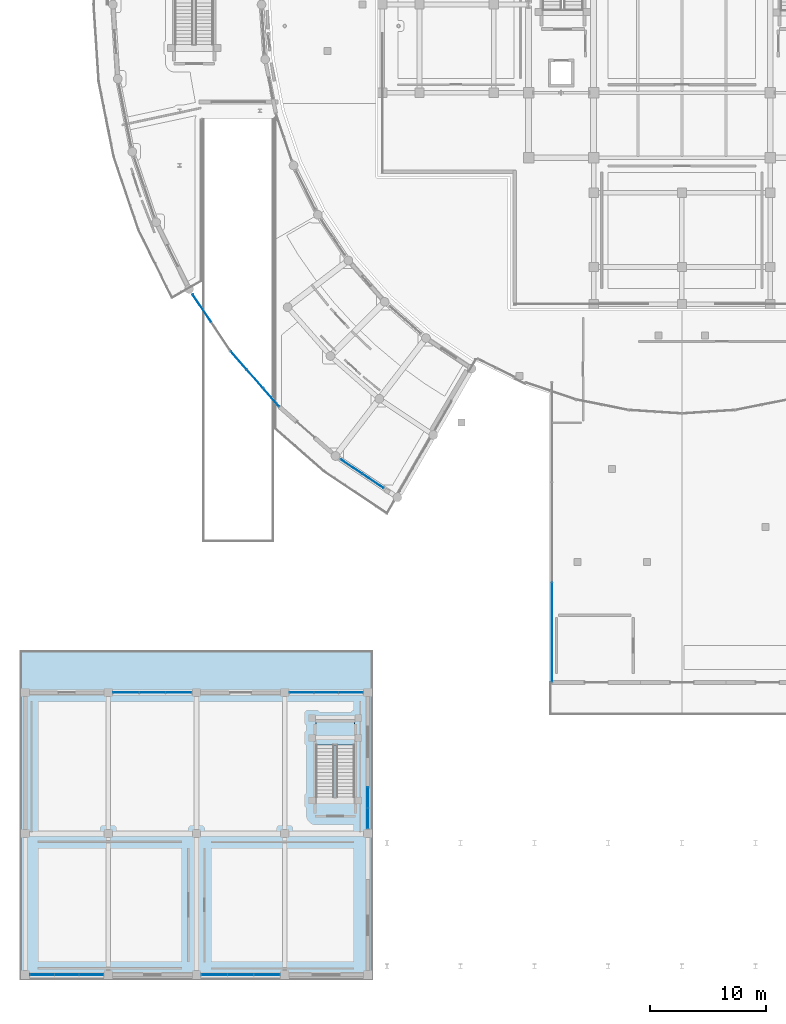
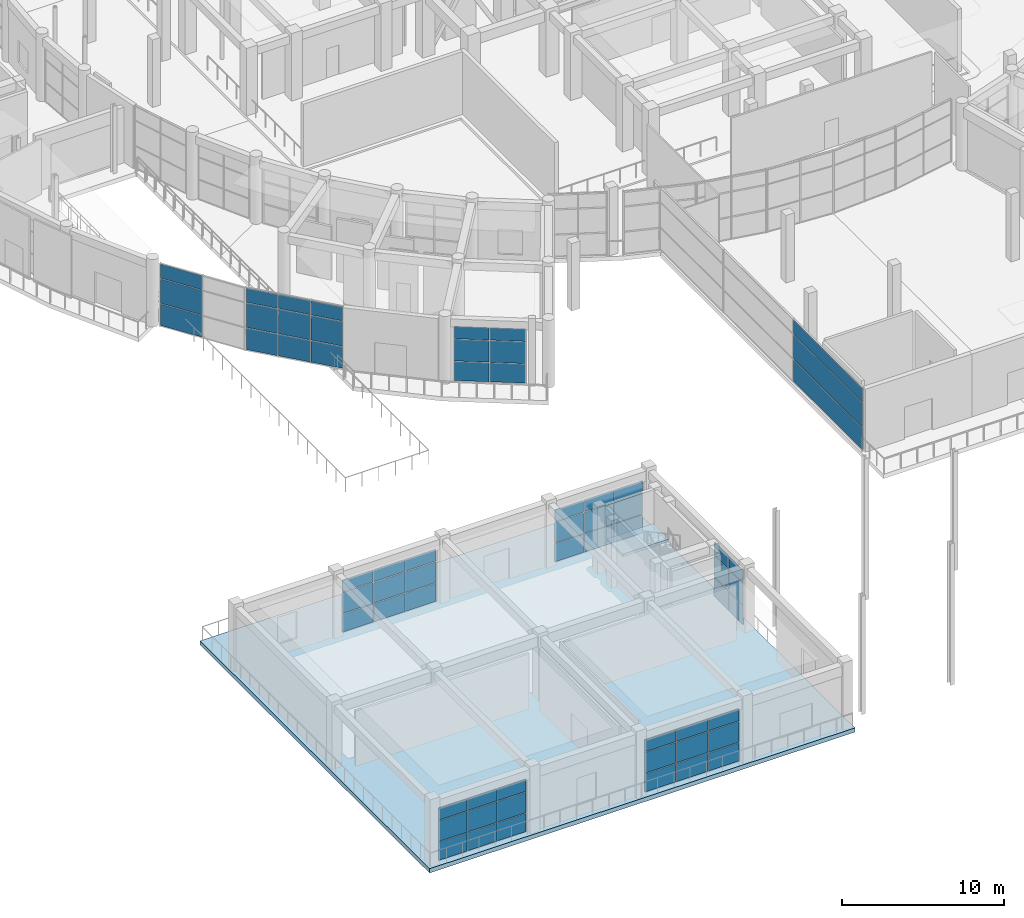
# One storey, part 54 of 99: 63 plates, 2 slabs, 10 elements without a shape of their own.
"""IFC4 building model written with IfcOpenShell, lengths in metres."""

from ifc_helpers import new_model, si_unit, direction, frame, origin, origin_2d, place, context, subcontext, project, spatial, polyline, rectangle, outline, extrude, material, layer, layer_set, type_object, element, aggregate, save


model = new_model("IFC4")

# Units and contexts
model_context = context("Model", 3, precision=1e-05, world=origin(), true_north=direction((0.0, 1.0)))
body_context = subcontext(model_context, "Body", "Model", "MODEL_VIEW")
ifc_project = project(units=[si_unit("LENGTHUNIT", "METRE"), si_unit("AREAUNIT", "SQUARE_METRE"), si_unit("VOLUMEUNIT", "CUBIC_METRE"), si_unit("PLANEANGLEUNIT", "RADIAN"), si_unit("MASSUNIT", "GRAM", prefix="KILO")], contexts=[model_context])

# Site, building, storey
site_placement = place(None, origin())
site = spatial("IfcSite", under=ifc_project, at=site_placement, CompositionType="ELEMENT")
building_placement = place(site_placement, origin())
building = spatial("IfcBuilding", under=site, at=building_placement, Name="Saryqyr Civic Hall", CompositionType="ELEMENT")
storey_placement = place(building_placement, origin())
storey = spatial("IfcBuildingStorey", under=building, at=storey_placement, Name="L00", CompositionType="ELEMENT", Elevation=0.0)

# Curtain wall, plates
ifc_material_1 = material(Name="Anodised aluminium and triple low-E glass", Category="aluminium")
curtain_wall_type_1 = type_object("IfcCurtainWallType", Name="ENV-CW-STD-08", PredefinedType="NOTDEFINED", material=ifc_material_1)
curtain_wall_1_placement = place(storey_placement, origin())
curtain_wall_1 = element("IfcCurtainWall", 1, at=curtain_wall_1_placement, inside=storey, type_object=curtain_wall_type_1, Name="Curtain wall V4-CWO-L00-06", PredefinedType="NOTDEFINED")
ifc_material_2 = material(Name="Triple low-E insulated glazing", Category="glass")
ifc_layer_1 = layer(ifc_material_2, 0.053955078125, Name="Triple low-E insulated glazing")
ifc_layer_set_1 = layer_set([ifc_layer_1], Name="Triple low-E insulated glazing")
plate_type = type_object("IfcPlateType", Name="ENV-CW-PNL-38", PredefinedType="CURTAIN_PANEL", material=ifc_layer_set_1)
plate_1_placement = place(storey_placement, frame((15.67138671875, 57.843994140625, 0.06005859375), z_axis=(0.0, 0.0, 1.0), x_axis=(-0.555566691085, 0.831471978937, 0.0)))
plate_1 = element("IfcPlate", 2, at=plate_1_placement, type_object=plate_type, Name="CW-08 panel 2.1", PredefinedType="CURTAIN_PANEL", context=body_context, shape_type="SweptSolid", body=[
    extrude(rectangle(XDim=2.865234375, YDim=0.053955078125, at=origin_2d()), origin(), (0.0, 0.0, 1.0), 1.6201171875),
])
plate_2_placement = place(storey_placement, frame((15.67138671875, 57.843994140625, 1.73974609375), z_axis=(0.0, 0.0, 1.0), x_axis=(-0.555566691085, 0.831471978937, 0.0)))
plate_2 = element("IfcPlate", 3, at=plate_2_placement, type_object=plate_type, Name="CW-08 panel 2.2", PredefinedType="CURTAIN_PANEL", context=body_context, shape_type="SweptSolid", body=[
    extrude(rectangle(XDim=2.865234375, YDim=0.053955078125, at=origin_2d()), origin(), (0.0, 0.0, 1.0), 1.840087890625),
])
plate_3_placement = place(storey_placement, frame((15.67138671875, 57.843994140625, 3.64013671875), z_axis=(0.0, 0.0, 1.0), x_axis=(-0.555566691085, 0.831471978937, 0.0)))
plate_3 = element("IfcPlate", 4, at=plate_3_placement, type_object=plate_type, Name="CW-08 panel 2.3", PredefinedType="CURTAIN_PANEL", context=body_context, shape_type="SweptSolid", body=[
    extrude(rectangle(XDim=2.865234375, YDim=0.053955078125, at=origin_2d()), origin(), (0.0, 0.0, 1.0), 1.050048828125),
])
aggregate(curtain_wall_1, [plate_1, plate_2, plate_3])

curtain_wall_type_2 = type_object("IfcCurtainWallType", Name="ENV-CW-STD-10", PredefinedType="NOTDEFINED", material=ifc_material_1)
curtain_wall_2_placement = place(storey_placement, origin())
curtain_wall_2 = element("IfcCurtainWall", 5, at=curtain_wall_2_placement, inside=storey, type_object=curtain_wall_type_2, Name="Curtain wall V4-CWO-L00-07", PredefinedType="NOTDEFINED")
plate_4_placement = place(storey_placement, frame((21.637451171875, 50.166259765625, 0.06005859375), z_axis=(0.0, 0.0, 1.0), x_axis=(-0.659349177167, 0.751836859012, 0.0)))
plate_4 = element("IfcPlate", 6, at=plate_4_placement, type_object=plate_type, Name="CW-10 panel 1.1", PredefinedType="CURTAIN_PANEL", context=body_context, shape_type="SweptSolid", body=[
    extrude(rectangle(XDim=2.04638671875, YDim=0.053955078125, at=origin_2d()), origin(), (0.0, 0.0, 1.0), 1.6201171875),
])
plate_5_placement = place(storey_placement, frame((21.637451171875, 50.166259765625, 1.73974609375), z_axis=(0.0, 0.0, 1.0), x_axis=(-0.659349177167, 0.751836859012, 0.0)))
plate_5 = element("IfcPlate", 7, at=plate_5_placement, type_object=plate_type, Name="CW-10 panel 1.2", PredefinedType="CURTAIN_PANEL", context=body_context, shape_type="SweptSolid", body=[
    extrude(rectangle(XDim=2.04638671875, YDim=0.053955078125, at=origin_2d()), origin(), (0.0, 0.0, 1.0), 1.840087890625),
])
plate_6_placement = place(storey_placement, frame((21.637451171875, 50.166259765625, 3.64013671875), z_axis=(0.0, 0.0, 1.0), x_axis=(-0.659349177167, 0.751836859012, 0.0)))
plate_6 = element("IfcPlate", 8, at=plate_6_placement, type_object=plate_type, Name="CW-10 panel 1.3", PredefinedType="CURTAIN_PANEL", context=body_context, shape_type="SweptSolid", body=[
    extrude(rectangle(XDim=2.04638671875, YDim=0.053955078125, at=origin_2d()), origin(), (0.0, 0.0, 1.0), 1.050048828125),
])
plate_7_placement = place(storey_placement, frame((20.23876953125, 51.76123046875, 0.06005859375), z_axis=(0.0, 0.0, 1.0), x_axis=(-0.659349177167, 0.751836859012, 0.0)))
plate_7 = element("IfcPlate", 9, at=plate_7_placement, type_object=plate_type, Name="CW-10 panel 2.1", PredefinedType="CURTAIN_PANEL", context=body_context, shape_type="SweptSolid", body=[
    extrude(rectangle(XDim=2.076416015625, YDim=0.053955078125, at=origin_2d()), origin(), (0.0, 0.0, 1.0), 1.6201171875),
])
plate_8_placement = place(storey_placement, frame((20.23876953125, 51.76123046875, 1.73974609375), z_axis=(0.0, 0.0, 1.0), x_axis=(-0.659349177167, 0.751836859012, 0.0)))
plate_8 = element("IfcPlate", 10, at=plate_8_placement, type_object=plate_type, Name="CW-10 panel 2.2", PredefinedType="CURTAIN_PANEL", context=body_context, shape_type="SweptSolid", body=[
    extrude(rectangle(XDim=2.076416015625, YDim=0.053955078125, at=origin_2d()), origin(), (0.0, 0.0, 1.0), 1.840087890625),
])
plate_9_placement = place(storey_placement, frame((20.23876953125, 51.76123046875, 3.64013671875), z_axis=(0.0, 0.0, 1.0), x_axis=(-0.659349177167, 0.751836859012, 0.0)))
plate_9 = element("IfcPlate", 11, at=plate_9_placement, type_object=plate_type, Name="CW-10 panel 2.3", PredefinedType="CURTAIN_PANEL", context=body_context, shape_type="SweptSolid", body=[
    extrude(rectangle(XDim=2.076416015625, YDim=0.053955078125, at=origin_2d()), origin(), (0.0, 0.0, 1.0), 1.050048828125),
])
plate_10_placement = place(storey_placement, frame((18.83984375, 53.356201171875, 0.06005859375), z_axis=(0.0, 0.0, 1.0), x_axis=(-0.659349177167, 0.751836859012, 0.0)))
plate_10 = element("IfcPlate", 12, at=plate_10_placement, type_object=plate_type, Name="CW-10 panel 3.1", PredefinedType="CURTAIN_PANEL", context=body_context, shape_type="SweptSolid", body=[
    extrude(rectangle(XDim=2.04638671875, YDim=0.053955078125, at=origin_2d()), origin(), (0.0, 0.0, 1.0), 1.6201171875),
])
plate_11_placement = place(storey_placement, frame((18.83984375, 53.356201171875, 1.73974609375), z_axis=(0.0, 0.0, 1.0), x_axis=(-0.659349177167, 0.751836859012, 0.0)))
plate_11 = element("IfcPlate", 13, at=plate_11_placement, type_object=plate_type, Name="CW-10 panel 3.2", PredefinedType="CURTAIN_PANEL", context=body_context, shape_type="SweptSolid", body=[
    extrude(rectangle(XDim=2.04638671875, YDim=0.053955078125, at=origin_2d()), origin(), (0.0, 0.0, 1.0), 1.840087890625),
])
plate_12_placement = place(storey_placement, frame((18.83984375, 53.356201171875, 3.64013671875), z_axis=(0.0, 0.0, 1.0), x_axis=(-0.659349177167, 0.751836859012, 0.0)))
plate_12 = element("IfcPlate", 14, at=plate_12_placement, type_object=plate_type, Name="CW-10 panel 3.3", PredefinedType="CURTAIN_PANEL", context=body_context, shape_type="SweptSolid", body=[
    extrude(rectangle(XDim=2.04638671875, YDim=0.053955078125, at=origin_2d()), origin(), (0.0, 0.0, 1.0), 1.050048828125),
])
aggregate(curtain_wall_2, [plate_4, plate_5, plate_6, plate_7, plate_8, plate_9, plate_10, plate_11, plate_12])

curtain_wall_type_3 = type_object("IfcCurtainWallType", Name="ENV-CW-STD-12", PredefinedType="NOTDEFINED", material=ifc_material_1)
curtain_wall_3_placement = place(storey_placement, origin())
curtain_wall_3 = element("IfcCurtainWall", 15, at=curtain_wall_3_placement, inside=storey, type_object=curtain_wall_type_3, Name="Curtain wall V4-CWO-L00-09", PredefinedType="NOTDEFINED")
plate_13_placement = place(storey_placement, frame((30.397705078125, 42.969482421875, 0.06005859375), z_axis=(0.0, 0.0, 1.0), x_axis=(-0.831475808139, 0.555560960182, 0.0)))
plate_13 = element("IfcPlate", 16, at=plate_13_placement, type_object=plate_type, Name="CW-12 panel 1.1", PredefinedType="CURTAIN_PANEL", context=body_context, shape_type="SweptSolid", body=[
    extrude(rectangle(XDim=2.174560546875, YDim=0.053955078125, at=origin_2d()), origin(), (0.0, 0.0, 1.0), 1.419921875),
])
plate_14_placement = place(storey_placement, frame((30.397705078125, 42.969482421875, 1.5400390625), z_axis=(0.0, 0.0, 1.0), x_axis=(-0.831475808139, 0.555560960182, 0.0)))
plate_14 = element("IfcPlate", 17, at=plate_14_placement, type_object=plate_type, Name="CW-12 panel 1.2", PredefinedType="CURTAIN_PANEL", context=body_context, shape_type="SweptSolid", body=[
    extrude(rectangle(XDim=2.174560546875, YDim=0.053955078125, at=origin_2d()), origin(), (0.0, 0.0, 1.0), 1.617919921875),
])
plate_15_placement = place(storey_placement, frame((30.397705078125, 42.969482421875, 3.218017578125), z_axis=(0.0, 0.0, 1.0), x_axis=(-0.831475808139, 0.555560960182, 0.0)))
plate_15 = element("IfcPlate", 18, at=plate_15_placement, type_object=plate_type, Name="CW-12 panel 1.3", PredefinedType="CURTAIN_PANEL", context=body_context, shape_type="SweptSolid", body=[
    extrude(rectangle(XDim=2.174560546875, YDim=0.053955078125, at=origin_2d()), origin(), (0.0, 0.0, 1.0), 0.9169921875),
])
plate_16_placement = place(storey_placement, frame((28.53955078125, 44.2109375, 0.06005859375), z_axis=(0.0, 0.0, 1.0), x_axis=(-0.831475808139, 0.555560960182, 0.0)))
plate_16 = element("IfcPlate", 19, at=plate_16_placement, type_object=plate_type, Name="CW-12 panel 2.1", PredefinedType="CURTAIN_PANEL", context=body_context, shape_type="SweptSolid", body=[
    extrude(rectangle(XDim=2.174560546875, YDim=0.053955078125, at=origin_2d()), origin(), (0.0, 0.0, 1.0), 1.419921875),
])
plate_17_placement = place(storey_placement, frame((28.53955078125, 44.2109375, 1.5400390625), z_axis=(0.0, 0.0, 1.0), x_axis=(-0.831475808139, 0.555560960182, 0.0)))
plate_17 = element("IfcPlate", 20, at=plate_17_placement, type_object=plate_type, Name="CW-12 panel 2.2", PredefinedType="CURTAIN_PANEL", context=body_context, shape_type="SweptSolid", body=[
    extrude(rectangle(XDim=2.174560546875, YDim=0.053955078125, at=origin_2d()), origin(), (0.0, 0.0, 1.0), 1.617919921875),
])
plate_18_placement = place(storey_placement, frame((28.53955078125, 44.2109375, 3.218017578125), z_axis=(0.0, 0.0, 1.0), x_axis=(-0.831475808139, 0.555560960182, 0.0)))
plate_18 = element("IfcPlate", 21, at=plate_18_placement, type_object=plate_type, Name="CW-12 panel 2.3", PredefinedType="CURTAIN_PANEL", context=body_context, shape_type="SweptSolid", body=[
    extrude(rectangle(XDim=2.174560546875, YDim=0.053955078125, at=origin_2d()), origin(), (0.0, 0.0, 1.0), 0.9169921875),
])
aggregate(curtain_wall_3, [plate_13, plate_14, plate_15, plate_16, plate_17, plate_18])

curtain_wall_type_4 = type_object("IfcCurtainWallType", Name="ENV-CW-STD-59", PredefinedType="NOTDEFINED", material=ifc_material_1)
curtain_wall_4_placement = place(storey_placement, origin())
curtain_wall_4 = element("IfcCurtainWall", 22, at=curtain_wall_4_placement, inside=storey, type_object=curtain_wall_type_4, Name="Curtain wall V7W-CW-L00-0-1", PredefinedType="NOTDEFINED")
plate_19_placement = place(storey_placement, frame((21.25830078125, 0.449951171875, 0.06005859375), z_axis=(0.0, 0.0, 1.0), x_axis=(-1.0, 0.0, 0.0)))
plate_19 = element("IfcPlate", 23, at=plate_19_placement, type_object=plate_type, Name="CW-59 panel 1.1", PredefinedType="CURTAIN_PANEL", context=body_context, shape_type="SweptSolid", body=[
    extrude(rectangle(XDim=2.183349609375, YDim=0.053955078125, at=origin_2d()), origin(), (0.0, 0.0, 1.0), 1.365966796875),
])
plate_20_placement = place(storey_placement, frame((21.25830078125, 0.449951171875, 1.48583984375), z_axis=(0.0, 0.0, 1.0), x_axis=(-1.0, 0.0, 0.0)))
plate_20 = element("IfcPlate", 24, at=plate_20_placement, type_object=plate_type, Name="CW-59 panel 1.2", PredefinedType="CURTAIN_PANEL", context=body_context, shape_type="SweptSolid", body=[
    extrude(rectangle(XDim=2.183349609375, YDim=0.053955078125, at=origin_2d()), origin(), (0.0, 0.0, 1.0), 1.55810546875),
])
plate_21_placement = place(storey_placement, frame((21.25830078125, 0.449951171875, 3.10400390625), z_axis=(0.0, 0.0, 1.0), x_axis=(-1.0, 0.0, 0.0)))
plate_21 = element("IfcPlate", 25, at=plate_21_placement, type_object=plate_type, Name="CW-59 panel 1.3", PredefinedType="CURTAIN_PANEL", context=body_context, shape_type="SweptSolid", body=[
    extrude(rectangle(XDim=2.183349609375, YDim=0.053955078125, at=origin_2d()), origin(), (0.0, 0.0, 1.0), 0.881103515625),
])
plate_22_placement = place(storey_placement, frame((19.0, 0.449951171875, 0.06005859375), z_axis=(0.0, 0.0, 1.0), x_axis=(-1.0, 0.0, 0.0)))
plate_22 = element("IfcPlate", 26, at=plate_22_placement, type_object=plate_type, Name="CW-59 panel 2.1", PredefinedType="CURTAIN_PANEL", context=body_context, shape_type="SweptSolid", body=[
    extrude(rectangle(XDim=2.21337890625, YDim=0.053955078125, at=origin_2d()), origin(), (0.0, 0.0, 1.0), 1.365966796875),
])
plate_23_placement = place(storey_placement, frame((19.0, 0.449951171875, 1.48583984375), z_axis=(0.0, 0.0, 1.0), x_axis=(-1.0, 0.0, 0.0)))
plate_23 = element("IfcPlate", 27, at=plate_23_placement, type_object=plate_type, Name="CW-59 panel 2.2", PredefinedType="CURTAIN_PANEL", context=body_context, shape_type="SweptSolid", body=[
    extrude(rectangle(XDim=2.21337890625, YDim=0.053955078125, at=origin_2d()), origin(), (0.0, 0.0, 1.0), 1.55810546875),
])
plate_24_placement = place(storey_placement, frame((19.0, 0.449951171875, 3.10400390625), z_axis=(0.0, 0.0, 1.0), x_axis=(-1.0, 0.0, 0.0)))
plate_24 = element("IfcPlate", 28, at=plate_24_placement, type_object=plate_type, Name="CW-59 panel 2.3", PredefinedType="CURTAIN_PANEL", context=body_context, shape_type="SweptSolid", body=[
    extrude(rectangle(XDim=2.21337890625, YDim=0.053955078125, at=origin_2d()), origin(), (0.0, 0.0, 1.0), 0.881103515625),
])
plate_25_placement = place(storey_placement, frame((16.74169921875, 0.449951171875, 0.06005859375), z_axis=(0.0, 0.0, 1.0), x_axis=(-1.0, 0.0, 0.0)))
plate_25 = element("IfcPlate", 29, at=plate_25_placement, type_object=plate_type, Name="CW-59 panel 3.1", PredefinedType="CURTAIN_PANEL", context=body_context, shape_type="SweptSolid", body=[
    extrude(rectangle(XDim=2.183349609375, YDim=0.053955078125, at=origin_2d()), origin(), (0.0, 0.0, 1.0), 1.365966796875),
])
plate_26_placement = place(storey_placement, frame((16.74169921875, 0.449951171875, 1.48583984375), z_axis=(0.0, 0.0, 1.0), x_axis=(-1.0, 0.0, 0.0)))
plate_26 = element("IfcPlate", 30, at=plate_26_placement, type_object=plate_type, Name="CW-59 panel 3.2", PredefinedType="CURTAIN_PANEL", context=body_context, shape_type="SweptSolid", body=[
    extrude(rectangle(XDim=2.183349609375, YDim=0.053955078125, at=origin_2d()), origin(), (0.0, 0.0, 1.0), 1.55810546875),
])
plate_27_placement = place(storey_placement, frame((16.74169921875, 0.449951171875, 3.10400390625), z_axis=(0.0, 0.0, 1.0), x_axis=(-1.0, 0.0, 0.0)))
plate_27 = element("IfcPlate", 31, at=plate_27_placement, type_object=plate_type, Name="CW-59 panel 3.3", PredefinedType="CURTAIN_PANEL", context=body_context, shape_type="SweptSolid", body=[
    extrude(rectangle(XDim=2.183349609375, YDim=0.053955078125, at=origin_2d()), origin(), (0.0, 0.0, 1.0), 0.881103515625),
])
aggregate(curtain_wall_4, [plate_19, plate_20, plate_21, plate_22, plate_23, plate_24, plate_25, plate_26, plate_27])

curtain_wall_type_5 = type_object("IfcCurtainWallType", Name="ENV-CW-STD-60", PredefinedType="NOTDEFINED", material=ifc_material_1)
curtain_wall_5_placement = place(storey_placement, origin())
curtain_wall_5 = element("IfcCurtainWall", 32, at=curtain_wall_5_placement, inside=storey, type_object=curtain_wall_type_5, Name="Curtain wall V7W-CW-L00-0-3", PredefinedType="NOTDEFINED")
plate_28_placement = place(storey_placement, frame((6.13330078125, 0.449951171875, 0.06005859375), z_axis=(0.0, 0.0, 1.0), x_axis=(-1.0, 0.0, 0.0)))
plate_28 = element("IfcPlate", 33, at=plate_28_placement, type_object=plate_type, Name="CW-60 panel 1.1", PredefinedType="CURTAIN_PANEL", context=body_context, shape_type="SweptSolid", body=[
    extrude(rectangle(XDim=2.033447265625, YDim=0.053955078125, at=origin_2d()), origin(), (0.0, 0.0, 1.0), 1.365966796875),
])
plate_29_placement = place(storey_placement, frame((6.13330078125, 0.449951171875, 1.48583984375), z_axis=(0.0, 0.0, 1.0), x_axis=(-1.0, 0.0, 0.0)))
plate_29 = element("IfcPlate", 34, at=plate_29_placement, type_object=plate_type, Name="CW-60 panel 1.2", PredefinedType="CURTAIN_PANEL", context=body_context, shape_type="SweptSolid", body=[
    extrude(rectangle(XDim=2.033447265625, YDim=0.053955078125, at=origin_2d()), origin(), (0.0, 0.0, 1.0), 1.55810546875),
])
plate_30_placement = place(storey_placement, frame((6.13330078125, 0.449951171875, 3.10400390625), z_axis=(0.0, 0.0, 1.0), x_axis=(-1.0, 0.0, 0.0)))
plate_30 = element("IfcPlate", 35, at=plate_30_placement, type_object=plate_type, Name="CW-60 panel 1.3", PredefinedType="CURTAIN_PANEL", context=body_context, shape_type="SweptSolid", body=[
    extrude(rectangle(XDim=2.033447265625, YDim=0.053955078125, at=origin_2d()), origin(), (0.0, 0.0, 1.0), 0.881103515625),
])
plate_31_placement = place(storey_placement, frame((4.02490234375, 0.449951171875, 0.06005859375), z_axis=(0.0, 0.0, 1.0), x_axis=(-1.0, 0.0, 0.0)))
plate_31 = element("IfcPlate", 36, at=plate_31_placement, type_object=plate_type, Name="CW-60 panel 2.1", PredefinedType="CURTAIN_PANEL", context=body_context, shape_type="SweptSolid", body=[
    extrude(rectangle(XDim=2.063232421875, YDim=0.053955078125, at=origin_2d()), origin(), (0.0, 0.0, 1.0), 1.365966796875),
])
plate_32_placement = place(storey_placement, frame((4.02490234375, 0.449951171875, 1.48583984375), z_axis=(0.0, 0.0, 1.0), x_axis=(-1.0, 0.0, 0.0)))
plate_32 = element("IfcPlate", 37, at=plate_32_placement, type_object=plate_type, Name="CW-60 panel 2.2", PredefinedType="CURTAIN_PANEL", context=body_context, shape_type="SweptSolid", body=[
    extrude(rectangle(XDim=2.063232421875, YDim=0.053955078125, at=origin_2d()), origin(), (0.0, 0.0, 1.0), 1.55810546875),
])
plate_33_placement = place(storey_placement, frame((4.02490234375, 0.449951171875, 3.10400390625), z_axis=(0.0, 0.0, 1.0), x_axis=(-1.0, 0.0, 0.0)))
plate_33 = element("IfcPlate", 38, at=plate_33_placement, type_object=plate_type, Name="CW-60 panel 2.3", PredefinedType="CURTAIN_PANEL", context=body_context, shape_type="SweptSolid", body=[
    extrude(rectangle(XDim=2.063232421875, YDim=0.053955078125, at=origin_2d()), origin(), (0.0, 0.0, 1.0), 0.881103515625),
])
plate_34_placement = place(storey_placement, frame((1.916748046875, 0.449951171875, 0.06005859375), z_axis=(0.0, 0.0, 1.0), x_axis=(-1.0, 0.0, 0.0)))
plate_34 = element("IfcPlate", 39, at=plate_34_placement, type_object=plate_type, Name="CW-60 panel 3.1", PredefinedType="CURTAIN_PANEL", context=body_context, shape_type="SweptSolid", body=[
    extrude(rectangle(XDim=2.033447265625, YDim=0.053955078125, at=origin_2d()), origin(), (0.0, 0.0, 1.0), 1.365966796875),
])
plate_35_placement = place(storey_placement, frame((1.916748046875, 0.449951171875, 1.48583984375), z_axis=(0.0, 0.0, 1.0), x_axis=(-1.0, 0.0, 0.0)))
plate_35 = element("IfcPlate", 40, at=plate_35_placement, type_object=plate_type, Name="CW-60 panel 3.2", PredefinedType="CURTAIN_PANEL", context=body_context, shape_type="SweptSolid", body=[
    extrude(rectangle(XDim=2.033447265625, YDim=0.053955078125, at=origin_2d()), origin(), (0.0, 0.0, 1.0), 1.55810546875),
])
plate_36_placement = place(storey_placement, frame((1.916748046875, 0.449951171875, 3.10400390625), z_axis=(0.0, 0.0, 1.0), x_axis=(-1.0, 0.0, 0.0)))
plate_36 = element("IfcPlate", 41, at=plate_36_placement, type_object=plate_type, Name="CW-60 panel 3.3", PredefinedType="CURTAIN_PANEL", context=body_context, shape_type="SweptSolid", body=[
    extrude(rectangle(XDim=2.033447265625, YDim=0.053955078125, at=origin_2d()), origin(), (0.0, 0.0, 1.0), 0.881103515625),
])
aggregate(curtain_wall_5, [plate_28, plate_29, plate_30, plate_31, plate_32, plate_33, plate_34, plate_35, plate_36])

curtain_wall_type_6 = type_object("IfcCurtainWallType", Name="ENV-CW-STD-09", PredefinedType="NOTDEFINED", material=ifc_material_1)
curtain_wall_6_placement = place(storey_placement, origin())
curtain_wall_6 = element("IfcCurtainWall", 42, at=curtain_wall_6_placement, inside=storey, type_object=curtain_wall_type_6, Name="Curtain wall V7W-CW-L00-1-1", PredefinedType="NOTDEFINED")
plate_37_placement = place(storey_placement, frame((29.949951171875, 15.719970703125, 0.06005859375), z_axis=(0.0, 0.0, 1.0), x_axis=(0.0, -1.0, 0.0)))
plate_37 = element("IfcPlate", 43, at=plate_37_placement, type_object=plate_type, Name="CW-09 panel 1.1", PredefinedType="CURTAIN_PANEL", context=body_context, shape_type="SweptSolid", body=[
    extrude(rectangle(XDim=1.739990234375, YDim=0.053955078125, at=origin_2d()), origin(), (0.0, 0.0, 1.0), 1.419921875),
])
plate_38_placement = place(storey_placement, frame((29.949951171875, 15.719970703125, 1.5400390625), z_axis=(0.0, 0.0, 1.0), x_axis=(0.0, -1.0, 0.0)))
plate_38 = element("IfcPlate", 44, at=plate_38_placement, type_object=plate_type, Name="CW-09 panel 1.2", PredefinedType="CURTAIN_PANEL", context=body_context, shape_type="SweptSolid", body=[
    extrude(rectangle(XDim=1.739990234375, YDim=0.053955078125, at=origin_2d()), origin(), (0.0, 0.0, 1.0), 1.617919921875),
])
plate_39_placement = place(storey_placement, frame((29.949951171875, 15.719970703125, 3.218017578125), z_axis=(0.0, 0.0, 1.0), x_axis=(0.0, -1.0, 0.0)))
plate_39 = element("IfcPlate", 45, at=plate_39_placement, type_object=plate_type, Name="CW-09 panel 1.3", PredefinedType="CURTAIN_PANEL", context=body_context, shape_type="SweptSolid", body=[
    extrude(rectangle(XDim=1.739990234375, YDim=0.053955078125, at=origin_2d()), origin(), (0.0, 0.0, 1.0), 0.9169921875),
])
plate_40_placement = place(storey_placement, frame((29.949951171875, 13.919921875, 0.06005859375), z_axis=(0.0, 0.0, 1.0), x_axis=(0.0, -1.0, 0.0)))
plate_40 = element("IfcPlate", 46, at=plate_40_placement, type_object=plate_type, Name="CW-09 panel 2.1", PredefinedType="CURTAIN_PANEL", context=body_context, shape_type="SweptSolid", body=[
    extrude(rectangle(XDim=1.739990234375, YDim=0.053955078125, at=origin_2d()), origin(), (0.0, 0.0, 1.0), 1.419921875),
])
plate_41_placement = place(storey_placement, frame((29.949951171875, 13.919921875, 1.5400390625), z_axis=(0.0, 0.0, 1.0), x_axis=(0.0, -1.0, 0.0)))
plate_41 = element("IfcPlate", 47, at=plate_41_placement, type_object=plate_type, Name="CW-09 panel 2.2", PredefinedType="CURTAIN_PANEL", context=body_context, shape_type="SweptSolid", body=[
    extrude(rectangle(XDim=1.739990234375, YDim=0.053955078125, at=origin_2d()), origin(), (0.0, 0.0, 1.0), 1.617919921875),
])
plate_42_placement = place(storey_placement, frame((29.949951171875, 13.919921875, 3.218017578125), z_axis=(0.0, 0.0, 1.0), x_axis=(0.0, -1.0, 0.0)))
plate_42 = element("IfcPlate", 48, at=plate_42_placement, type_object=plate_type, Name="CW-09 panel 2.3", PredefinedType="CURTAIN_PANEL", context=body_context, shape_type="SweptSolid", body=[
    extrude(rectangle(XDim=1.739990234375, YDim=0.053955078125, at=origin_2d()), origin(), (0.0, 0.0, 1.0), 0.9169921875),
])
aggregate(curtain_wall_6, [plate_37, plate_38, plate_39, plate_40, plate_41, plate_42])

curtain_wall_7_placement = place(storey_placement, origin())
curtain_wall_7 = element("IfcCurtainWall", 49, at=curtain_wall_7_placement, inside=storey, type_object=curtain_wall_type_4, Name="Curtain wall V7W-CW-L00-2-1", PredefinedType="NOTDEFINED")
plate_43_placement = place(storey_placement, frame((9.1416015625, 24.75, 0.06005859375), z_axis=(0.0, 0.0, 1.0), x_axis=(1.0, 0.0, 0.0)))
plate_43 = element("IfcPlate", 50, at=plate_43_placement, type_object=plate_type, Name="CW-59 panel 1.1", PredefinedType="CURTAIN_PANEL", context=body_context, shape_type="SweptSolid", body=[
    extrude(rectangle(XDim=2.183349609375, YDim=0.053955078125, at=origin_2d()), origin(), (0.0, 0.0, 1.0), 1.365966796875),
])
plate_44_placement = place(storey_placement, frame((9.1416015625, 24.75, 1.48583984375), z_axis=(0.0, 0.0, 1.0), x_axis=(1.0, 0.0, 0.0)))
plate_44 = element("IfcPlate", 51, at=plate_44_placement, type_object=plate_type, Name="CW-59 panel 1.2", PredefinedType="CURTAIN_PANEL", context=body_context, shape_type="SweptSolid", body=[
    extrude(rectangle(XDim=2.183349609375, YDim=0.053955078125, at=origin_2d()), origin(), (0.0, 0.0, 1.0), 1.55810546875),
])
plate_45_placement = place(storey_placement, frame((9.1416015625, 24.75, 3.10400390625), z_axis=(0.0, 0.0, 1.0), x_axis=(1.0, 0.0, 0.0)))
plate_45 = element("IfcPlate", 52, at=plate_45_placement, type_object=plate_type, Name="CW-59 panel 1.3", PredefinedType="CURTAIN_PANEL", context=body_context, shape_type="SweptSolid", body=[
    extrude(rectangle(XDim=2.183349609375, YDim=0.053955078125, at=origin_2d()), origin(), (0.0, 0.0, 1.0), 0.881103515625),
])
plate_46_placement = place(storey_placement, frame((11.39990234375, 24.75, 0.06005859375), z_axis=(0.0, 0.0, 1.0), x_axis=(1.0, 0.0, 0.0)))
plate_46 = element("IfcPlate", 53, at=plate_46_placement, type_object=plate_type, Name="CW-59 panel 2.1", PredefinedType="CURTAIN_PANEL", context=body_context, shape_type="SweptSolid", body=[
    extrude(rectangle(XDim=2.21337890625, YDim=0.053955078125, at=origin_2d()), origin(), (0.0, 0.0, 1.0), 1.365966796875),
])
plate_47_placement = place(storey_placement, frame((11.39990234375, 24.75, 1.48583984375), z_axis=(0.0, 0.0, 1.0), x_axis=(1.0, 0.0, 0.0)))
plate_47 = element("IfcPlate", 54, at=plate_47_placement, type_object=plate_type, Name="CW-59 panel 2.2", PredefinedType="CURTAIN_PANEL", context=body_context, shape_type="SweptSolid", body=[
    extrude(rectangle(XDim=2.21337890625, YDim=0.053955078125, at=origin_2d()), origin(), (0.0, 0.0, 1.0), 1.55810546875),
])
plate_48_placement = place(storey_placement, frame((11.39990234375, 24.75, 3.10400390625), z_axis=(0.0, 0.0, 1.0), x_axis=(1.0, 0.0, 0.0)))
plate_48 = element("IfcPlate", 55, at=plate_48_placement, type_object=plate_type, Name="CW-59 panel 2.3", PredefinedType="CURTAIN_PANEL", context=body_context, shape_type="SweptSolid", body=[
    extrude(rectangle(XDim=2.21337890625, YDim=0.053955078125, at=origin_2d()), origin(), (0.0, 0.0, 1.0), 0.881103515625),
])
plate_49_placement = place(storey_placement, frame((13.658447265625, 24.75, 0.06005859375), z_axis=(0.0, 0.0, 1.0), x_axis=(1.0, 0.0, 0.0)))
plate_49 = element("IfcPlate", 56, at=plate_49_placement, type_object=plate_type, Name="CW-59 panel 3.1", PredefinedType="CURTAIN_PANEL", context=body_context, shape_type="SweptSolid", body=[
    extrude(rectangle(XDim=2.183349609375, YDim=0.053955078125, at=origin_2d()), origin(), (0.0, 0.0, 1.0), 1.365966796875),
])
plate_50_placement = place(storey_placement, frame((13.658447265625, 24.75, 1.48583984375), z_axis=(0.0, 0.0, 1.0), x_axis=(1.0, 0.0, 0.0)))
plate_50 = element("IfcPlate", 57, at=plate_50_placement, type_object=plate_type, Name="CW-59 panel 3.2", PredefinedType="CURTAIN_PANEL", context=body_context, shape_type="SweptSolid", body=[
    extrude(rectangle(XDim=2.183349609375, YDim=0.053955078125, at=origin_2d()), origin(), (0.0, 0.0, 1.0), 1.55810546875),
])
plate_51_placement = place(storey_placement, frame((13.658447265625, 24.75, 3.10400390625), z_axis=(0.0, 0.0, 1.0), x_axis=(1.0, 0.0, 0.0)))
plate_51 = element("IfcPlate", 58, at=plate_51_placement, type_object=plate_type, Name="CW-59 panel 3.3", PredefinedType="CURTAIN_PANEL", context=body_context, shape_type="SweptSolid", body=[
    extrude(rectangle(XDim=2.183349609375, YDim=0.053955078125, at=origin_2d()), origin(), (0.0, 0.0, 1.0), 0.881103515625),
])
aggregate(curtain_wall_7, [plate_43, plate_44, plate_45, plate_46, plate_47, plate_48, plate_49, plate_50, plate_51])

curtain_wall_8_placement = place(storey_placement, origin())
curtain_wall_8 = element("IfcCurtainWall", 59, at=curtain_wall_8_placement, inside=storey, type_object=curtain_wall_type_5, Name="Curtain wall V7W-CW-L00-2-3", PredefinedType="NOTDEFINED")
plate_52_placement = place(storey_placement, frame((24.2666015625, 24.75, 0.06005859375), z_axis=(0.0, 0.0, 1.0), x_axis=(1.0, 0.0, 0.0)))
plate_52 = element("IfcPlate", 60, at=plate_52_placement, type_object=plate_type, Name="CW-60 panel 1.1", PredefinedType="CURTAIN_PANEL", context=body_context, shape_type="SweptSolid", body=[
    extrude(rectangle(XDim=2.033447265625, YDim=0.053955078125, at=origin_2d()), origin(), (0.0, 0.0, 1.0), 1.365966796875),
])
plate_53_placement = place(storey_placement, frame((24.2666015625, 24.75, 1.48583984375), z_axis=(0.0, 0.0, 1.0), x_axis=(1.0, 0.0, 0.0)))
plate_53 = element("IfcPlate", 61, at=plate_53_placement, type_object=plate_type, Name="CW-60 panel 1.2", PredefinedType="CURTAIN_PANEL", context=body_context, shape_type="SweptSolid", body=[
    extrude(rectangle(XDim=2.033447265625, YDim=0.053955078125, at=origin_2d()), origin(), (0.0, 0.0, 1.0), 1.55810546875),
])
plate_54_placement = place(storey_placement, frame((24.2666015625, 24.75, 3.10400390625), z_axis=(0.0, 0.0, 1.0), x_axis=(1.0, 0.0, 0.0)))
plate_54 = element("IfcPlate", 62, at=plate_54_placement, type_object=plate_type, Name="CW-60 panel 1.3", PredefinedType="CURTAIN_PANEL", context=body_context, shape_type="SweptSolid", body=[
    extrude(rectangle(XDim=2.033447265625, YDim=0.053955078125, at=origin_2d()), origin(), (0.0, 0.0, 1.0), 0.881103515625),
])
plate_55_placement = place(storey_placement, frame((26.375, 24.75, 0.06005859375), z_axis=(0.0, 0.0, 1.0), x_axis=(1.0, 0.0, 0.0)))
plate_55 = element("IfcPlate", 63, at=plate_55_placement, type_object=plate_type, Name="CW-60 panel 2.1", PredefinedType="CURTAIN_PANEL", context=body_context, shape_type="SweptSolid", body=[
    extrude(rectangle(XDim=2.063232421875, YDim=0.053955078125, at=origin_2d()), origin(), (0.0, 0.0, 1.0), 1.365966796875),
])
plate_56_placement = place(storey_placement, frame((26.375, 24.75, 1.48583984375), z_axis=(0.0, 0.0, 1.0), x_axis=(1.0, 0.0, 0.0)))
plate_56 = element("IfcPlate", 64, at=plate_56_placement, type_object=plate_type, Name="CW-60 panel 2.2", PredefinedType="CURTAIN_PANEL", context=body_context, shape_type="SweptSolid", body=[
    extrude(rectangle(XDim=2.063232421875, YDim=0.053955078125, at=origin_2d()), origin(), (0.0, 0.0, 1.0), 1.55810546875),
])
plate_57_placement = place(storey_placement, frame((26.375, 24.75, 3.10400390625), z_axis=(0.0, 0.0, 1.0), x_axis=(1.0, 0.0, 0.0)))
plate_57 = element("IfcPlate", 65, at=plate_57_placement, type_object=plate_type, Name="CW-60 panel 2.3", PredefinedType="CURTAIN_PANEL", context=body_context, shape_type="SweptSolid", body=[
    extrude(rectangle(XDim=2.063232421875, YDim=0.053955078125, at=origin_2d()), origin(), (0.0, 0.0, 1.0), 0.881103515625),
])
plate_58_placement = place(storey_placement, frame((28.4833984375, 24.75, 0.06005859375), z_axis=(0.0, 0.0, 1.0), x_axis=(1.0, 0.0, 0.0)))
plate_58 = element("IfcPlate", 66, at=plate_58_placement, type_object=plate_type, Name="CW-60 panel 3.1", PredefinedType="CURTAIN_PANEL", context=body_context, shape_type="SweptSolid", body=[
    extrude(rectangle(XDim=2.033447265625, YDim=0.053955078125, at=origin_2d()), origin(), (0.0, 0.0, 1.0), 1.365966796875),
])
plate_59_placement = place(storey_placement, frame((28.4833984375, 24.75, 1.48583984375), z_axis=(0.0, 0.0, 1.0), x_axis=(1.0, 0.0, 0.0)))
plate_59 = element("IfcPlate", 67, at=plate_59_placement, type_object=plate_type, Name="CW-60 panel 3.2", PredefinedType="CURTAIN_PANEL", context=body_context, shape_type="SweptSolid", body=[
    extrude(rectangle(XDim=2.033447265625, YDim=0.053955078125, at=origin_2d()), origin(), (0.0, 0.0, 1.0), 1.55810546875),
])
plate_60_placement = place(storey_placement, frame((28.4833984375, 24.75, 3.10400390625), z_axis=(0.0, 0.0, 1.0), x_axis=(1.0, 0.0, 0.0)))
plate_60 = element("IfcPlate", 68, at=plate_60_placement, type_object=plate_type, Name="CW-60 panel 3.3", PredefinedType="CURTAIN_PANEL", context=body_context, shape_type="SweptSolid", body=[
    extrude(rectangle(XDim=2.033447265625, YDim=0.053955078125, at=origin_2d()), origin(), (0.0, 0.0, 1.0), 0.881103515625),
])
aggregate(curtain_wall_8, [plate_52, plate_53, plate_54, plate_55, plate_56, plate_57, plate_58, plate_59, plate_60])

curtain_wall_type_7 = type_object("IfcCurtainWallType", Name="ENV-CW-STD-63", PredefinedType="NOTDEFINED", material=ifc_material_1)
curtain_wall_9_placement = place(storey_placement, origin())
curtain_wall_9 = element("IfcCurtainWall", 69, at=curtain_wall_9_placement, inside=storey, type_object=curtain_wall_type_7, Name="Curtain wall V2-VESTFLK-SW-L00", PredefinedType="NOTDEFINED")
plate_61_placement = place(storey_placement, frame((45.800048828125, 29.93994140625, 0.06005859375), z_axis=(0.0, 0.0, 1.0), x_axis=(0.0, 1.0, 0.0)))
plate_61 = element("IfcPlate", 70, at=plate_61_placement, type_object=plate_type, Name="CW-63 panel 1.1", PredefinedType="CURTAIN_PANEL", context=body_context, shape_type="SweptSolid", body=[
    extrude(rectangle(XDim=8.5400390625, YDim=0.053955078125, at=origin_2d()), origin(), (0.0, 0.0, 1.0), 1.6201171875),
])
plate_62_placement = place(storey_placement, frame((45.800048828125, 29.93994140625, 1.73974609375), z_axis=(0.0, 0.0, 1.0), x_axis=(0.0, 1.0, 0.0)))
plate_62 = element("IfcPlate", 71, at=plate_62_placement, type_object=plate_type, Name="CW-63 panel 1.2", PredefinedType="CURTAIN_PANEL", context=body_context, shape_type="SweptSolid", body=[
    extrude(rectangle(XDim=8.5400390625, YDim=0.053955078125, at=origin_2d()), origin(), (0.0, 0.0, 1.0), 1.840087890625),
])
plate_63_placement = place(storey_placement, frame((45.800048828125, 29.93994140625, 3.64013671875), z_axis=(0.0, 0.0, 1.0), x_axis=(0.0, 1.0, 0.0)))
plate_63 = element("IfcPlate", 72, at=plate_63_placement, type_object=plate_type, Name="CW-63 panel 1.3", PredefinedType="CURTAIN_PANEL", context=body_context, shape_type="SweptSolid", body=[
    extrude(rectangle(XDim=8.5400390625, YDim=0.053955078125, at=origin_2d()), origin(), (0.0, 0.0, 1.0), 1.050048828125),
])
aggregate(curtain_wall_9, [plate_61, plate_62, plate_63])

# Slab
ifc_material_3 = material(Name="Concrete C40/50", Category="concrete")
ifc_layer_2 = layer(ifc_material_3, 0.320068359375, Name="Concrete C40/50")
ifc_layer_set_2 = layer_set([ifc_layer_2], Name="Concrete C40/50")
slab_type_1 = type_object("IfcSlabType", Name="STR-SLB-FLR-320", PredefinedType="FLOOR", material=ifc_layer_set_2)
slab_1_placement = place(storey_placement, frame((0.0, 0.0, -0.320068359375)))
element("IfcSlab", 73, at=slab_1_placement, inside=storey, type_object=slab_type_1, Name="Slab SLB-V7W-L00", PredefinedType="FLOOR", context=body_context, shape_type="SweptSolid", body=[
    extrude(outline(polyline([(0.0, 28.39990234375), (30.39990234375, 28.39990234375), (30.39990234375, 0.0), (0.0, 0.0), (0.0, 28.39990234375)])), origin(), (0.0, 0.0, 1.0), 0.320068359375),
])

# Stair, slab
ifc_material_4 = material(Name="Concrete C35/45", Category="concrete")
stair_type = type_object("IfcStairType", Name="INT-STR-ST-7", PredefinedType="HALF_TURN_STAIR", material=ifc_material_4)
stair_placement = place(storey_placement, origin())
stair = element("IfcStair", 74, at=stair_placement, inside=storey, type_object=stair_type, Name="L00 Protected Exit Stair ST-7", PredefinedType="HALF_TURN_STAIR")
ifc_layer_3 = layer(ifc_material_4, 0.199951171875, Name="Concrete C35/45")
ifc_layer_set_3 = layer_set([ifc_layer_3], Name="Concrete C35/45")
slab_type_2 = type_object("IfcSlabType", Name="STR-SLB-LND-200", PredefinedType="LANDING", material=ifc_layer_set_3)
slab_2_placement = place(storey_placement, frame((0.0, 0.0, 2.35009765625)))
slab_2 = element("IfcSlab", 75, at=slab_2_placement, type_object=slab_type_2, Name="ST-7 landing 1", PredefinedType="LANDING", context=body_context, shape_type="SweptSolid", body=[
    extrude(outline(polyline([(28.800048828125, 20.25), (28.800048828125, 22.199951171875), (25.5, 22.199951171875), (25.5, 20.25), (28.800048828125, 20.25)])), origin(), (0.0, 0.0, 1.0), 0.199951171875),
])
aggregate(stair, [slab_2])

save(model, "model.ifc")
